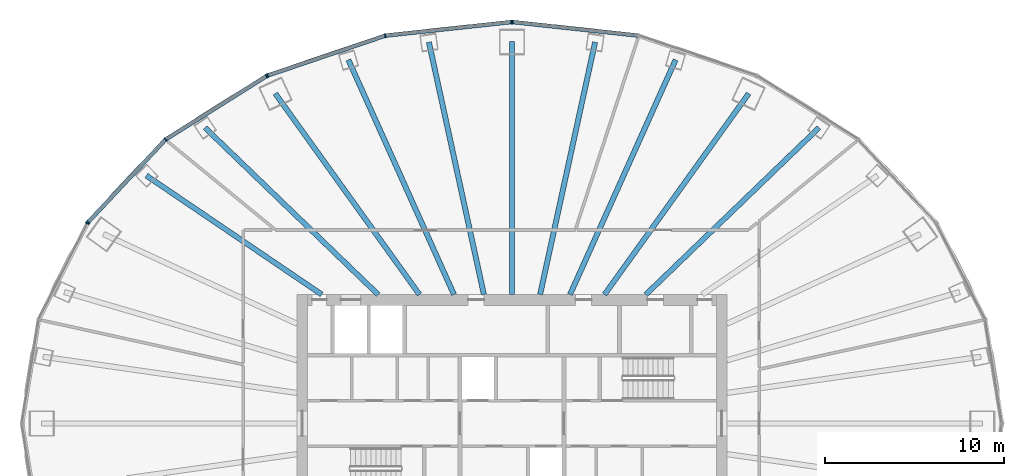
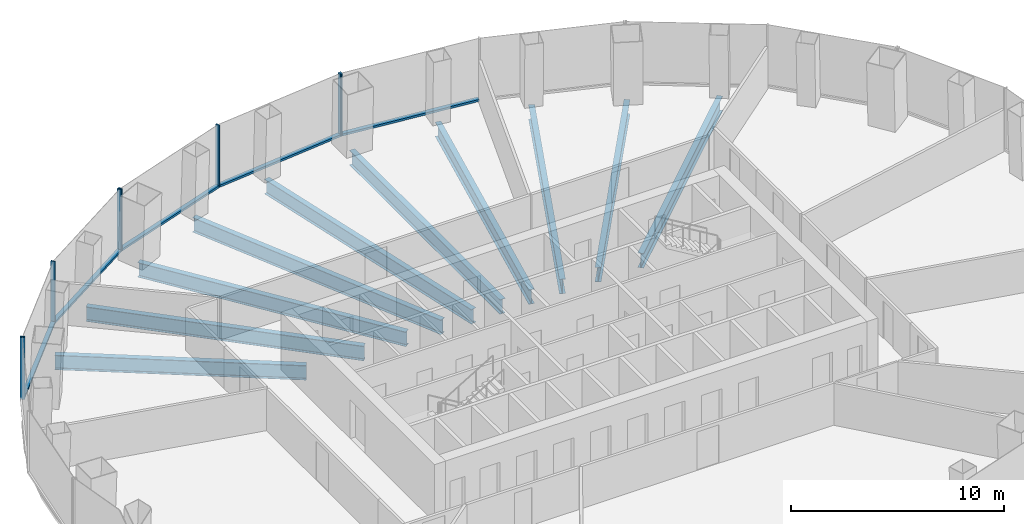
# One storey, part 5 of 11: 13 members, 10 beams, 4 elements without a shape of their own.
"""IFC4 building model written with IfcOpenShell, lengths in metres."""

from ifc_helpers import new_model, si_unit, direction, frame, origin, origin_2d, place, context, subcontext, project, spatial, rectangle, i_section, extrude, material, layer, layer_set, material_profile, profile_set, type_object, element, aggregate, save


model = new_model("IFC4")

# Units and contexts
model_context = context("Model", 3, precision=1e-05, world=origin(), true_north=direction((0.0, 1.0)))
body_context = subcontext(model_context, "Body", "Model", "MODEL_VIEW")
ifc_project = project(units=[si_unit("LENGTHUNIT", "METRE"), si_unit("AREAUNIT", "SQUARE_METRE"), si_unit("VOLUMEUNIT", "CUBIC_METRE"), si_unit("PLANEANGLEUNIT", "RADIAN"), si_unit("MASSUNIT", "GRAM", prefix="KILO")], contexts=[model_context])

# Site, building, storey
site_placement = place(None, origin())
site = spatial("IfcSite", under=ifc_project, at=site_placement, CompositionType="ELEMENT")
building_placement = place(site_placement, origin())
building = spatial("IfcBuilding", under=site, at=building_placement, Name="Siaravel Broadcast Tower", CompositionType="ELEMENT")
storey_placement = place(building_placement, frame((0.0, 0.0, 63.0)))
storey = spatial("IfcBuildingStorey", under=building, at=storey_placement, Name="L14", CompositionType="ELEMENT", Elevation=63.0)

# Beams
ifc_material_1 = material(Name="Steel S355", Category="steel")
ifc_material_profile_1 = material_profile(ifc_material_1, i_section(OverallWidth=0.291748046875, OverallDepth=0.8349609375, WebThickness=0.013916015625, FlangeThickness=0.018798828125, FilletRadius=0.017822265625, at=origin_2d()))
ifc_profile_set_1 = profile_set([ifc_material_profile_1], Name="Steel S355")
beam_type = type_object("IfcBeamType", Name="BM-UB 838x292x176", PredefinedType="BEAM", material=ifc_profile_set_1)
beam_1_placement = place(storey_placement, frame((17.134765625, 16.509521484375, -0.5673828125), z_axis=(-0.720122192, -0.693847266, 0.0), x_axis=(0.693847266, -0.720122192, 0.0)))
element("IfcBeam", 1, at=beam_1_placement, inside=storey, type_object=beam_type, Name="Radial beam RB06", PredefinedType="BEAM", context=body_context, shape_type="SweptSolid", body=[
    extrude(i_section(OverallWidth=0.291748046875, OverallDepth=0.8349609375, WebThickness=0.013916015625, FlangeThickness=0.018798828125, FilletRadius=0.017822265625, at=origin_2d()), origin(), (0.0, 0.0, 1.0), 13.417236328125),
])
beam_2_placement = place(storey_placement, frame((13.210693359375, 18.415283203125, -0.5673828125), z_axis=(-0.582901783, -0.812542622, 0.0), x_axis=(0.812542622, -0.582901783, 0.0)))
element("IfcBeam", 2, at=beam_2_placement, inside=storey, type_object=beam_type, Name="Radial beam RB07", PredefinedType="BEAM", context=body_context, shape_type="SweptSolid", body=[
    extrude(i_section(OverallWidth=0.291748046875, OverallDepth=0.8349609375, WebThickness=0.013916015625, FlangeThickness=0.018798828125, FilletRadius=0.017822265625, at=origin_2d()), origin(), (0.0, 0.0, 1.0), 13.802734375),
])
beam_3_placement = place(storey_placement, frame((9.129638671875, 20.294189453125, -0.5673828125), z_axis=(-0.410261452, -0.91196795, 0.0), x_axis=(0.91196795, -0.410261452, 0.0)))
element("IfcBeam", 3, at=beam_3_placement, inside=storey, type_object=beam_type, Name="Radial beam RB08", PredefinedType="BEAM", context=body_context, shape_type="SweptSolid", body=[
    extrude(i_section(OverallWidth=0.291748046875, OverallDepth=0.8349609375, WebThickness=0.013916015625, FlangeThickness=0.018798828125, FilletRadius=0.017822265625, at=origin_2d()), origin(), (0.0, 0.0, 1.0), 14.358154296875),
])
beam_4_placement = place(storey_placement, frame((4.636962890625, 21.280029296875, -0.5673828125), z_axis=(-0.212908609, -0.977072118, 0.0), x_axis=(0.977072118, -0.212908609, 0.0)))
element("IfcBeam", 4, at=beam_4_placement, inside=storey, type_object=beam_type, Name="Radial beam RB09", PredefinedType="BEAM", context=body_context, shape_type="SweptSolid", body=[
    extrude(i_section(OverallWidth=0.291748046875, OverallDepth=0.8349609375, WebThickness=0.013916015625, FlangeThickness=0.018798828125, FilletRadius=0.017822265625, at=origin_2d()), origin(), (0.0, 0.0, 1.0), 14.410400390625),
])
beam_5_placement = place(storey_placement, frame((0.0, 21.3125, -0.5673828125), z_axis=(0.0, -1.0, 0.0), x_axis=(1.0, 0.0, 0.0)))
element("IfcBeam", 5, at=beam_5_placement, inside=storey, type_object=beam_type, Name="Radial beam RB10", PredefinedType="BEAM", context=body_context, shape_type="SweptSolid", body=[
    extrude(i_section(OverallWidth=0.291748046875, OverallDepth=0.8349609375, WebThickness=0.013916015625, FlangeThickness=0.018798828125, FilletRadius=0.017822265625, at=origin_2d()), origin(), (0.0, 0.0, 1.0), 14.112548828125),
])
beam_6_placement = place(storey_placement, frame((-4.636962890625, 21.280029296875, -0.5673828125), z_axis=(0.212908609, -0.977072118, 0.0), x_axis=(0.977072118, 0.212908609, 0.0)))
element("IfcBeam", 6, at=beam_6_placement, inside=storey, type_object=beam_type, Name="Radial beam RB11", PredefinedType="BEAM", context=body_context, shape_type="SweptSolid", body=[
    extrude(i_section(OverallWidth=0.291748046875, OverallDepth=0.8349609375, WebThickness=0.013916015625, FlangeThickness=0.018798828125, FilletRadius=0.017822265625, at=origin_2d()), origin(), (0.0, 0.0, 1.0), 14.410400390625),
])
beam_7_placement = place(storey_placement, frame((-9.129638671875, 20.294189453125, -0.5673828125), z_axis=(0.410261452, -0.91196795, 0.0), x_axis=(0.91196795, 0.410261452, 0.0)))
element("IfcBeam", 7, at=beam_7_placement, inside=storey, type_object=beam_type, Name="Radial beam RB12", PredefinedType="BEAM", context=body_context, shape_type="SweptSolid", body=[
    extrude(i_section(OverallWidth=0.291748046875, OverallDepth=0.8349609375, WebThickness=0.013916015625, FlangeThickness=0.018798828125, FilletRadius=0.017822265625, at=origin_2d()), origin(), (0.0, 0.0, 1.0), 14.358154296875),
])
beam_8_placement = place(storey_placement, frame((-13.210693359375, 18.415283203125, -0.5673828125), z_axis=(0.582901783, -0.812542622, 0.0), x_axis=(0.812542622, 0.582901783, 0.0)))
element("IfcBeam", 8, at=beam_8_placement, inside=storey, type_object=beam_type, Name="Radial beam RB13", PredefinedType="BEAM", context=body_context, shape_type="SweptSolid", body=[
    extrude(i_section(OverallWidth=0.291748046875, OverallDepth=0.8349609375, WebThickness=0.013916015625, FlangeThickness=0.018798828125, FilletRadius=0.017822265625, at=origin_2d()), origin(), (0.0, 0.0, 1.0), 13.802734375),
])
beam_9_placement = place(storey_placement, frame((-17.134765625, 16.509521484375, -0.5673828125), z_axis=(0.720122192, -0.693847266, 0.0), x_axis=(0.693847266, 0.720122192, 0.0)))
element("IfcBeam", 9, at=beam_9_placement, inside=storey, type_object=beam_type, Name="Radial beam RB14", PredefinedType="BEAM", context=body_context, shape_type="SweptSolid", body=[
    extrude(i_section(OverallWidth=0.291748046875, OverallDepth=0.8349609375, WebThickness=0.013916015625, FlangeThickness=0.018798828125, FilletRadius=0.017822265625, at=origin_2d()), origin(), (0.0, 0.0, 1.0), 13.417236328125),
])
beam_10_placement = place(storey_placement, frame((-20.401611328125, 13.833984375, -0.5673828125), z_axis=(0.82766183, -0.561227133, 0.0), x_axis=(0.561227133, 0.82766183, 0.0)))
element("IfcBeam", 10, at=beam_10_placement, inside=storey, type_object=beam_type, Name="Radial beam RB15", PredefinedType="BEAM", context=body_context, shape_type="SweptSolid", body=[
    extrude(i_section(OverallWidth=0.291748046875, OverallDepth=0.8349609375, WebThickness=0.013916015625, FlangeThickness=0.018798828125, FilletRadius=0.017822265625, at=origin_2d()), origin(), (0.0, 0.0, 1.0), 11.820556640625),
])

# Curtain wall, member
ifc_material_2 = material(Name="Aluminium 6063-T6", Category="aluminium")
ifc_layer = layer(ifc_material_2, 0.219970703125)
ifc_layer_set = layer_set([ifc_layer], Name="Aluminium 6063-T6")
curtain_wall_type = type_object("IfcCurtainWallType", Name="Unitised curtain wall, zone 1", PredefinedType="NOTDEFINED", material=ifc_layer_set)
curtain_wall_1_placement = place(storey_placement, origin())
curtain_wall_1 = element("IfcCurtainWall", 11, at=curtain_wall_1_placement, inside=storey, type_object=curtain_wall_type, Name="L14 Unitised curtain wall, zone 1 03", PredefinedType="NOTDEFINED")
ifc_material_profile_2 = material_profile(ifc_material_2, rectangle(XDim=0.219970703125, YDim=0.070068359375, at=origin_2d()))
ifc_profile_set_2 = profile_set([ifc_material_profile_2], Name="Aluminium 6063-T6")
member_type_1 = type_object("IfcMemberType", Name="CW-Z1 mullion", PredefinedType="MULLION", material=ifc_profile_set_2)
member_1_placement = place(storey_placement, frame((0.034912109375, 22.406005859375, 0.0), z_axis=(0.0, 0.0, 1.0), x_axis=(-0.107217176, -0.994235625, 0.0)))
member_1 = element("IfcMember", 12, at=member_1_placement, type_object=member_type_1, Name="CW-Z1 mullion 3", PredefinedType="MULLION", context=body_context, shape_type="SweptSolid", body=[
    extrude(rectangle(XDim=0.219970703125, YDim=0.070068359375, at=origin_2d()), origin(), (0.0, 0.0, 1.0), 3.550048828125),
])

# Curtain wall, members
curtain_wall_2_placement = place(storey_placement, origin())
curtain_wall_2 = element("IfcCurtainWall", 13, at=curtain_wall_2_placement, inside=storey, type_object=curtain_wall_type, Name="L14 Unitised curtain wall, zone 1 04", PredefinedType="NOTDEFINED")
member_2_placement = place(storey_placement, frame((-0.034912109375, 22.406005859375, 0.0), z_axis=(0.0, 0.0, 1.0), x_axis=(0.107217176, -0.994235625, 0.0)))
member_2 = element("IfcMember", 14, at=member_2_placement, type_object=member_type_1, Name="CW-Z1 mullion 1", PredefinedType="MULLION", context=body_context, shape_type="SweptSolid", body=[
    extrude(rectangle(XDim=0.219970703125, YDim=0.070068359375, at=origin_2d()), origin(), (0.0, 0.0, 1.0), 3.550048828125),
])
member_3_placement = place(storey_placement, frame((-7.075927734375, 21.646728515625, 0.0), z_axis=(0.0, 0.0, 1.0), x_axis=(0.215557455, -0.976491159, 0.0)))
member_3 = element("IfcMember", 15, at=member_3_placement, type_object=member_type_1, Name="CW-Z1 mullion 2", PredefinedType="MULLION", context=body_context, shape_type="SweptSolid", body=[
    extrude(rectangle(XDim=0.219970703125, YDim=0.070068359375, at=origin_2d()), origin(), (0.0, 0.0, 1.0), 3.550048828125),
])
member_4_placement = place(storey_placement, frame((-13.63720703125, 19.420654296875, 0.0), z_axis=(0.0, 0.0, 1.0), x_axis=(0.321299732, -0.946977551, 0.0)))
member_4 = element("IfcMember", 16, at=member_4_placement, type_object=member_type_1, Name="CW-Z1 mullion 3", PredefinedType="MULLION", context=body_context, shape_type="SweptSolid", body=[
    extrude(rectangle(XDim=0.219970703125, YDim=0.070068359375, at=origin_2d()), origin(), (0.0, 0.0, 1.0), 3.550048828125),
])

curtain_wall_3_placement = place(storey_placement, origin())
curtain_wall_3 = element("IfcCurtainWall", 17, at=curtain_wall_3_placement, inside=storey, type_object=curtain_wall_type, Name="L14 Unitised curtain wall, zone 1 05", PredefinedType="NOTDEFINED")
member_5_placement = place(storey_placement, frame((-13.699951171875, 19.390869140625, 0.0), z_axis=(0.0, 0.0, 1.0), x_axis=(0.532147932, -0.846651392, 0.0)))
member_5 = element("IfcMember", 18, at=member_5_placement, type_object=member_type_1, Name="CW-Z1 mullion 1", PredefinedType="MULLION", context=body_context, shape_type="SweptSolid", body=[
    extrude(rectangle(XDim=0.219970703125, YDim=0.070068359375, at=origin_2d()), origin(), (0.0, 0.0, 1.0), 3.550048828125),
])
member_6_placement = place(storey_placement, frame((-19.333984375, 15.849609375, 0.0), z_axis=(0.0, 0.0, 1.0), x_axis=(0.636217305, -0.77150991, 0.0)))
member_6 = element("IfcMember", 19, at=member_6_placement, type_object=member_type_1, Name="CW-Z1 mullion 2", PredefinedType="MULLION", context=body_context, shape_type="SweptSolid", body=[
    extrude(rectangle(XDim=0.219970703125, YDim=0.070068359375, at=origin_2d()), origin(), (0.0, 0.0, 1.0), 3.550048828125),
])
member_7_placement = place(storey_placement, frame((-23.657470703125, 11.234375, 0.0), z_axis=(0.0, 0.0, 1.0), x_axis=(0.729803931, -0.683656509, 0.0)))
member_7 = element("IfcMember", 20, at=member_7_placement, type_object=member_type_1, Name="CW-Z1 mullion 3", PredefinedType="MULLION", context=body_context, shape_type="SweptSolid", body=[
    extrude(rectangle(XDim=0.219970703125, YDim=0.070068359375, at=origin_2d()), origin(), (0.0, 0.0, 1.0), 3.550048828125),
])

# Curtain wall, member
curtain_wall_4_placement = place(storey_placement, origin())
curtain_wall_4 = element("IfcCurtainWall", 21, at=curtain_wall_4_placement, inside=storey, type_object=curtain_wall_type, Name="L14 Unitised curtain wall, zone 1 06", PredefinedType="NOTDEFINED")
member_8_placement = place(storey_placement, frame((-23.697265625, 11.177490234375, 0.0), z_axis=(0.0, 0.0, 1.0), x_axis=(0.892391293, -0.451262428, 0.0)))
member_8 = element("IfcMember", 22, at=member_8_placement, type_object=member_type_1, Name="CW-Z1 mullion 1", PredefinedType="MULLION", context=body_context, shape_type="SweptSolid", body=[
    extrude(rectangle(XDim=0.219970703125, YDim=0.070068359375, at=origin_2d()), origin(), (0.0, 0.0, 1.0), 3.550048828125),
])
aggregate(curtain_wall_4, [member_8])

# Member
ifc_material_profile_3 = material_profile(ifc_material_2, rectangle(XDim=0.219970703125, YDim=0.1201171875, at=origin_2d()))
ifc_profile_set_3 = profile_set([ifc_material_profile_3], Name="Aluminium 6063-T6")
member_type_2 = type_object("IfcMemberType", Name="CW-Z1 transom", PredefinedType="USERDEFINED", material=ifc_profile_set_3)
member_9_placement = place(storey_placement, frame((7.041015625, 21.650634765625, 0.06005859375), z_axis=(-0.994236875, 0.10720558, 0.0), x_axis=(-0.10720558, -0.994236875, 0.0)))
member_9 = element("IfcMember", 23, at=member_9_placement, type_object=member_type_2, Name="CW-Z1 transom 2", ObjectType="TRANSOM", PredefinedType="USERDEFINED", context=body_context, shape_type="SweptSolid", body=[
    extrude(rectangle(XDim=0.219970703125, YDim=0.1201171875, at=origin_2d()), origin(), (0.0, 0.0, 1.0), 7.011962890625),
])

aggregate(curtain_wall_1, [member_1, member_9])

member_10_placement = place(storey_placement, frame((-0.069580078125, 22.40234375, 0.06005859375), z_axis=(-0.994236875, -0.10720558, 0.0), x_axis=(0.10720558, -0.994236875, 0.0)))
member_10 = element("IfcMember", 24, at=member_10_placement, type_object=member_type_2, Name="CW-Z1 transom 1", ObjectType="TRANSOM", PredefinedType="USERDEFINED", context=body_context, shape_type="SweptSolid", body=[
    extrude(rectangle(XDim=0.219970703125, YDim=0.1201171875, at=origin_2d()), origin(), (0.0, 0.0, 1.0), 7.011962890625),
])

member_11_placement = place(storey_placement, frame((-7.109130859375, 21.635498046875, 0.06005859375), z_axis=(-0.946978894, -0.321295775, 0.0), x_axis=(0.321295775, -0.946978894, 0.0)))
member_11 = element("IfcMember", 25, at=member_11_placement, type_object=member_type_2, Name="CW-Z1 transom 2", ObjectType="TRANSOM", PredefinedType="USERDEFINED", context=body_context, shape_type="SweptSolid", body=[
    extrude(rectangle(XDim=0.219970703125, YDim=0.1201171875, at=origin_2d()), origin(), (0.0, 0.0, 1.0), 6.8583984375),
])

aggregate(curtain_wall_2, [member_2, member_3, member_4, member_10, member_11])

member_12_placement = place(storey_placement, frame((-13.7294921875, 19.372314453125, 0.06005859375), z_axis=(-0.846643708, -0.532160155, 0.0), x_axis=(0.532160155, -0.846643708, 0.0)))
member_12 = element("IfcMember", 26, at=member_12_placement, type_object=member_type_2, Name="CW-Z1 transom 1", ObjectType="TRANSOM", PredefinedType="USERDEFINED", context=body_context, shape_type="SweptSolid", body=[
    extrude(rectangle(XDim=0.219970703125, YDim=0.1201171875, at=origin_2d()), origin(), (0.0, 0.0, 1.0), 6.584716796875),
])

member_13_placement = place(storey_placement, frame((-19.358154296875, 15.823974609375, 0.06005859375), z_axis=(-0.683638503, -0.729820798, 0.0), x_axis=(0.729820798, -0.683638503, 0.0)))
member_13 = element("IfcMember", 27, at=member_13_placement, type_object=member_type_2, Name="CW-Z1 transom 2", ObjectType="TRANSOM", PredefinedType="USERDEFINED", context=body_context, shape_type="SweptSolid", body=[
    extrude(rectangle(XDim=0.219970703125, YDim=0.1201171875, at=origin_2d()), origin(), (0.0, 0.0, 1.0), 6.25390625),
])

aggregate(curtain_wall_3, [member_5, member_6, member_7, member_12, member_13])

save(model, "model.ifc")
